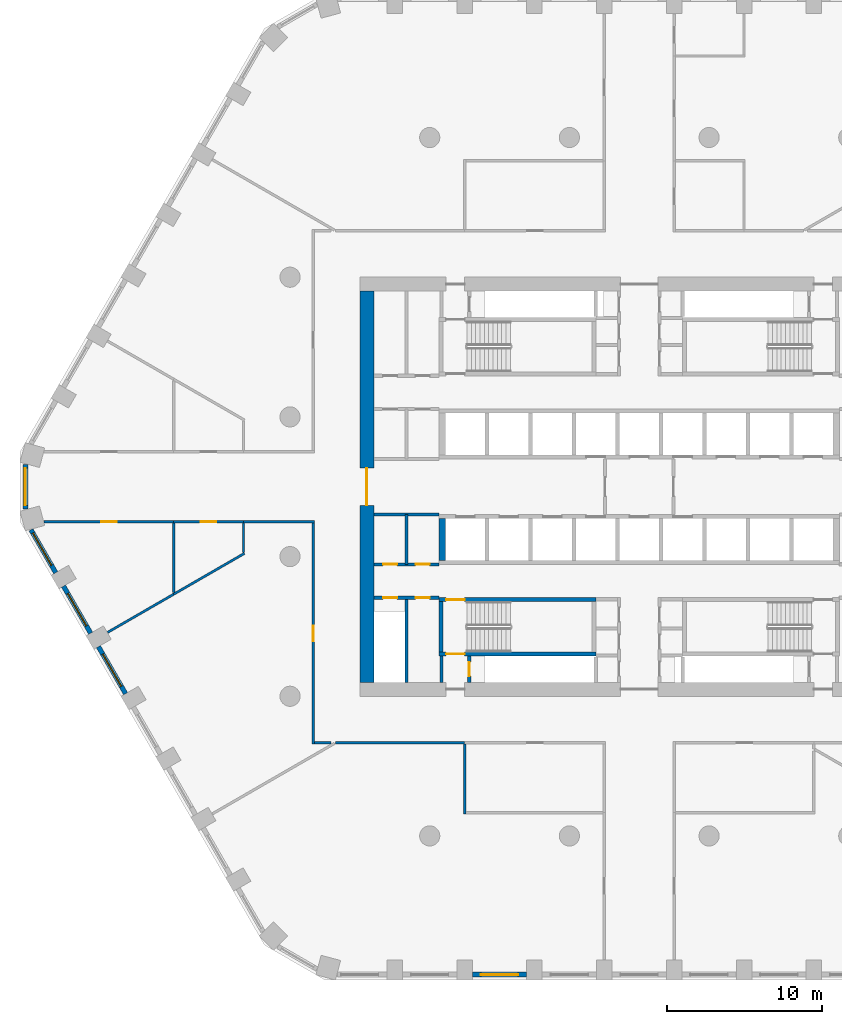
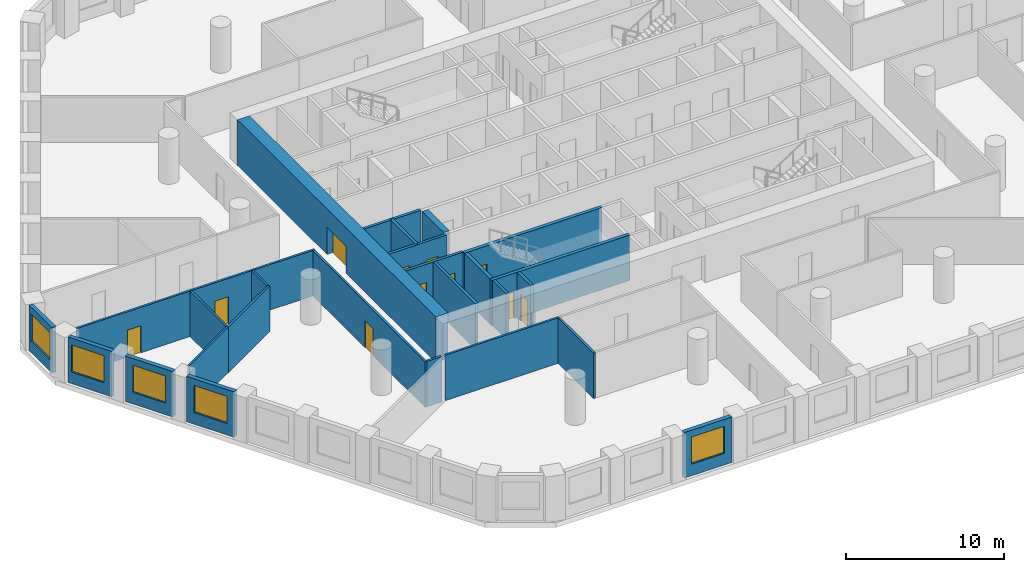
# One storey, part 2 of 10: 28 walls, 11 doors, 5 windows, 16 openings.
"""IFC4 building model written with IfcOpenShell, lengths in metres."""

import ifcopenshell
import ifcopenshell.guid

model = None  # the IFC model being written
_history = None  # IfcOwnerHistory: only IFC2X3 demands one
_inside = {}  # id of a spatial element -> (the spatial element, [elements in it])
_under = {}  # id of a project, library or spatial element -> (it, [spatial elements below it])
_declared = {}  # id of a project -> (the project, [libraries it declares])
_typed = {}  # id of a type object -> (the type object, [elements of that type])
_made_of = {}  # id of a material, layer set ... -> (it, [elements and type objects made of it])


def new_model(schema):
    """Start an empty IFC model of exactly this schema.

    Asked for "IFC4X3", IfcOpenShell would pick the latest addendum, in which some entities
    have other attributes; the version numbers below select the first issue.
    IFC2X3 requires an IfcOwnerHistory on every rooted entity: one is made here for all.
    """
    global model, _history
    if schema == "IFC4X3":
        model = ifcopenshell.file(schema_version=(4, 3, 0, 0))
    else:
        model = ifcopenshell.file(schema=schema)
    _inside.clear()
    _under.clear()
    _declared.clear()
    _typed.clear()
    _made_of.clear()
    _history = None
    if model.schema == "IFC2X3":
        org = make("IfcOrganization", Name="unknown")
        user = make(
            "IfcPersonAndOrganization",
            ThePerson=make("IfcPerson", FamilyName="unknown"),
            TheOrganization=org,
        )
        app = make(
            "IfcApplication",
            ApplicationDeveloper=org,
            Version="unknown",
            ApplicationFullName="unknown",
            ApplicationIdentifier="unknown",
        )
        _history = make(
            "IfcOwnerHistory",
            OwningUser=user,
            OwningApplication=app,
            ChangeAction="ADDED",
            CreationDate=0,
        )
    return model


def make(cls, **values):
    """One entity of the class cls with the attributes given. An attribute that is None is left unset."""
    return model.create_entity(
        cls, **{name: value for name, value in values.items() if value is not None}
    )


def rooted(cls, **values):
    """An entity with a GlobalId (a new one), such as an element, a storey or a relation."""
    return make(cls, GlobalId=ifcopenshell.guid.new(), OwnerHistory=_history, **values)


def si_unit(unit_type, name, prefix=None):
    """IfcSIUnit, for example si_unit("LENGTHUNIT", "METRE", prefix="MILLI")."""
    return make("IfcSIUnit", UnitType=unit_type, Prefix=prefix, Name=name)


def assignment(units):
    """IfcUnitAssignment: the units of a project."""
    return None if units is None else make("IfcUnitAssignment", Units=units)


def point(xyz):
    """IfcCartesianPoint."""
    return None if xyz is None else make("IfcCartesianPoint", Coordinates=xyz)


def direction(xyz):
    """IfcDirection."""
    return None if xyz is None else make("IfcDirection", DirectionRatios=xyz)


def frame(location, z_axis=None, x_axis=None):
    """IfcAxis2Placement3D, a coordinate frame: its origin and axes. An axis left out is left unset."""
    return make(
        "IfcAxis2Placement3D",
        Location=point(location),
        Axis=direction(z_axis),
        RefDirection=direction(x_axis),
    )


def frame_2d(location, x_axis=None):
    """IfcAxis2Placement2D, a coordinate frame in the plane: its origin and x axis."""
    return make(
        "IfcAxis2Placement2D", Location=point(location), RefDirection=direction(x_axis)
    )


def origin():
    """The frame at (0, 0, 0) with its axes left unset."""
    return frame((0.0, 0.0, 0.0))


def place(relative_to, where):
    """IfcLocalPlacement: puts the frame where relative to a parent placement (None: the world)."""
    return make(
        "IfcLocalPlacement", PlacementRelTo=relative_to, RelativePlacement=where
    )


def context(
    kind, dimensions, precision=None, world=None, true_north=None, identifier=None
):
    """IfcGeometricRepresentationContext, for example the 3D "Model" context."""
    return make(
        "IfcGeometricRepresentationContext",
        ContextIdentifier=identifier,
        ContextType=kind,
        CoordinateSpaceDimension=dimensions,
        Precision=precision,
        WorldCoordinateSystem=world,
        TrueNorth=true_north,
    )


def subcontext(parent, identifier, kind, view, scale=None):
    """IfcGeometricRepresentationSubContext, for example "Body" below "Model"."""
    return make(
        "IfcGeometricRepresentationSubContext",
        ContextIdentifier=identifier,
        ContextType=kind,
        ParentContext=parent,
        TargetScale=scale,
        TargetView=view,
    )


def project(units=None, contexts=None):
    """IfcProject with its units and contexts."""
    return rooted(
        "IfcProject",
        Name="project",
        RepresentationContexts=contexts,
        UnitsInContext=assignment(units),
    )


def spatial(cls, under=None, at=None, **own):
    """A site, building, storey or space (cls), placed at a placement, below another one or the project."""
    s = rooted(cls, ObjectPlacement=at, **own)
    if under is not None:
        _under.setdefault(under.id(), (under, []))[1].append(s)
    return s


def polyline(points):
    """IfcPolyline through the points."""
    return make("IfcPolyline", Points=[point(p) for p in points])


def profile(cls, at=None, kind="AREA", **sizes):
    """A parametric profile (cls). Its sizes go by their IFC names, for example OverallWidth=200.0."""
    return make(cls, ProfileType=kind, Position=at, **sizes)


def rectangle(**sizes):
    """IfcRectangleProfileDef."""
    return profile("IfcRectangleProfileDef", **sizes)


def outline(outer, holes=None, kind="AREA"):
    """IfcArbitraryClosedProfileDef: a profile drawn as a closed curve; with holes, ...WithVoids."""
    if holes is None:
        return make("IfcArbitraryClosedProfileDef", ProfileType=kind, OuterCurve=outer)
    return make(
        "IfcArbitraryProfileDefWithVoids",
        ProfileType=kind,
        OuterCurve=outer,
        InnerCurves=holes,
    )


def extrude(swept, where, along, depth):
    """IfcExtrudedAreaSolid: the profile swept, set in the frame where, extruded along a direction by depth."""
    return make(
        "IfcExtrudedAreaSolid",
        SweptArea=swept,
        Position=where,
        ExtrudedDirection=direction(along),
        Depth=depth,
    )


def shape(context_of_items, identifier, shape_type, items):
    """IfcShapeRepresentation: the items that make up one representation, for example the "Body"."""
    return make(
        "IfcShapeRepresentation",
        ContextOfItems=context_of_items,
        RepresentationIdentifier=identifier,
        RepresentationType=shape_type,
        Items=items,
    )


def material(Name=None, Category=None):
    """IfcMaterial."""
    return make("IfcMaterial", Name=Name, Category=Category)


def layer(
    of_material, thickness, ventilated=None, Name=None, Category=None, Priority=None
):
    """IfcMaterialLayer: one layer of a wall or slab, of a material (None: an air gap)."""
    return make(
        "IfcMaterialLayer",
        Material=of_material,
        LayerThickness=thickness,
        IsVentilated=ventilated,
        Name=Name,
        Category=Category,
        Priority=Priority,
    )


def layer_set(layers, Name=None):
    """IfcMaterialLayerSet."""
    return make("IfcMaterialLayerSet", MaterialLayers=layers, LayerSetName=Name)


def made_of(thing, what):
    """Note that an element or type object is made of a material, layer set ...; save() writes the relation."""
    if what is not None:
        _made_of.setdefault(what.id(), (what, []))[1].append(thing)
    return thing


def type_object(cls, material=None, **own):
    """A type object (cls), such as IfcWallType, which elements share."""
    return made_of(rooted(cls, **own), material)


def element(
    cls,
    number,
    at=None,
    inside=None,
    cuts=None,
    type_object=None,
    material=None,
    context=None,
    identifier="Body",
    shape_type=None,
    held_by="IfcProductDefinitionShape",
    body=None,
    shapes=None,
    **own,
):
    """One element of the class cls, such as IfcWall. Its Tag is "e" and its number.

    at: its placement. inside: the storey or other place that contains it. cuts: it is an
    opening in that element (IfcRelVoidsElement). A single representation is given by context,
    identifier, shape_type and body (its items); several are given by shapes. held_by: the class
    of the entity that holds the representations. save() writes the other relations.
    """
    e = rooted(cls, Tag="e%d" % number, ObjectPlacement=at, **own)
    if body is not None:
        shapes = [shape(context, identifier, shape_type, body)]
    if shapes is not None:
        e.Representation = make(held_by, Representations=shapes)
    if inside is not None:
        _inside.setdefault(inside.id(), (inside, []))[1].append(e)
    if cuts is not None:
        rooted(
            "IfcRelVoidsElement", RelatingBuildingElement=cuts, RelatedOpeningElement=e
        )
    if type_object is not None:
        _typed.setdefault(type_object.id(), (type_object, []))[1].append(e)
    return made_of(e, material)


def fill(opening, filler):
    """IfcRelFillsElement: the door or window that sits in an opening."""
    return rooted(
        "IfcRelFillsElement",
        RelatingOpeningElement=opening,
        RelatedBuildingElement=filler,
    )


def aggregate(whole, parts):
    """IfcRelAggregates: a whole, such as a stair, and the parts it consists of."""
    return rooted("IfcRelAggregates", RelatingObject=whole, RelatedObjects=parts)


def save(model, path):
    """Write the relations noted so far, then the file.

    IfcRelAggregates (storeys below a building ...), IfcRelContainedInSpatialStructure (elements
    in a storey), IfcRelDefinesByType, IfcRelAssociatesMaterial and IfcRelDeclares: one each for
    every whole, place, type object, material and project.
    """
    for whole, parts in _under.values():
        aggregate(whole, parts)
    for where, things in _inside.values():
        rooted(
            "IfcRelContainedInSpatialStructure",
            RelatedElements=things,
            RelatingStructure=where,
        )
    for kind, things in _typed.values():
        rooted("IfcRelDefinesByType", RelatedObjects=things, RelatingType=kind)
    for what, things in _made_of.values():
        rooted("IfcRelAssociatesMaterial", RelatedObjects=things, RelatingMaterial=what)
    for by, libraries in _declared.values():
        rooted("IfcRelDeclares", RelatingContext=by, RelatedDefinitions=libraries)
    model.write(path)


model = new_model("IFC4")

# Units and contexts
model_context = context("Model", 3, precision=1e-05, world=origin(), true_north=direction((0.0, 1.0)))
body_context = subcontext(model_context, "Body", "Model", "MODEL_VIEW")
ifc_project = project(units=[si_unit("LENGTHUNIT", "METRE"), si_unit("AREAUNIT", "SQUARE_METRE"), si_unit("VOLUMEUNIT", "CUBIC_METRE"), si_unit("PLANEANGLEUNIT", "RADIAN"), si_unit("MASSUNIT", "GRAM", prefix="KILO")], contexts=[model_context])

# Site, building, storey
site_placement = place(None, origin())
site = spatial("IfcSite", under=ifc_project, at=site_placement, CompositionType="ELEMENT")
building_placement = place(site_placement, origin())
building = spatial("IfcBuilding", under=site, at=building_placement, Name="Dhurran Vertical Campus", CompositionType="ELEMENT")
storey_placement = place(building_placement, frame((0.0, 0.0, 112.5)))
storey = spatial("IfcBuildingStorey", under=building, at=storey_placement, Name="L27", CompositionType="ELEMENT", Elevation=112.5)

# Wall, opening, window
ifc_material_1 = material(Name="Precast concrete C50/60", Category="concrete")
ifc_layer_1 = layer(ifc_material_1, 0.300048828125)
ifc_layer_set_1 = layer_set([ifc_layer_1], Name="Precast concrete C50/60")
wall_type_1 = type_object("IfcWallType", Name="Precast spandrel wall 300", PredefinedType="SOLIDWALL", material=ifc_layer_set_1)
wall_1_placement = place(storey_placement, frame((-10.74951171875, -31.4296875, 0.0), z_axis=(0.0, 0.0, 1.0), x_axis=(1.0, 0.0, 0.0)))
wall_1 = element("IfcWall", 1, at=wall_1_placement, inside=storey, type_object=wall_type_1, Name="EW1 L27.02", PredefinedType="SOLIDWALL", context=body_context, shape_type="SweptSolid", body=[
    extrude(rectangle(XDim=3.4990234375, YDim=0.300048828125, at=frame_2d((1.74951171875, 0.0))), origin(), (0.0, 0.0, 1.0), 3.52490234375),
])
opening_1_placement = place(wall_1_placement, frame((0.549560546875, 0.0, 0.89990234375)))
opening_1 = element("IfcOpeningElement", 2, at=opening_1_placement, cuts=wall_1, Name="Opening WT1", PredefinedType="OPENING", context=body_context, shape_type="SweptSolid", body=[
    extrude(rectangle(XDim=2.39990234375, YDim=2.10009765625, at=frame_2d((1.199951171875, 1.050048828125))), frame((0.0, 0.159912109375, 0.0), z_axis=(0.0, -1.0, 0.0), x_axis=(1.0, 0.0, 0.0)), (0.0, 0.0, 1.0), 0.320068359375),
])
ifc_material_2 = material(Name="Aluminium frame with solar-control glass", Category="aluminium")
window_type = type_object("IfcWindowType", Name="Punched window 2400 x 2100", PartitioningType="SINGLE_PANEL", PredefinedType="WINDOW", material=ifc_material_2)
window_1_placement = place(opening_1_placement, origin())
window_1 = element("IfcWindow", 3, at=window_1_placement, inside=storey, type_object=window_type, Name="WT1 L27.02", OverallHeight=2.10009765625, OverallWidth=2.39990234375, PartitioningType="SINGLE_PANEL", PredefinedType="WINDOW", context=body_context, shape_type="SweptSolid", body=[
    extrude(rectangle(XDim=2.39990234375, YDim=2.10009765625, at=frame_2d((1.199951171875, 1.050048828125))), frame((0.0, 0.030029296875, 0.0), z_axis=(0.0, -1.0, 0.0), x_axis=(1.0, 0.0, 0.0)), (0.0, 0.0, 1.0), 0.06005859375),
])
fill(opening_1, window_1)

wall_2_placement = place(storey_placement, frame((-39.547119140625, 1.44287109375, 0.0), z_axis=(0.0, 0.0, 1.0), x_axis=(0.0, -1.0, 0.0)))
wall_2 = element("IfcWall", 4, at=wall_2_placement, inside=storey, type_object=wall_type_1, Name="EW1 L27.43", PredefinedType="SOLIDWALL", context=body_context, shape_type="SweptSolid", body=[
    extrude(rectangle(XDim=2.8857421875, YDim=0.300048828125, at=frame_2d((1.44287109375, 0.0))), origin(), (0.0, 0.0, 1.0), 3.52490234375),
])
opening_2_placement = place(wall_2_placement, frame((0.242919921875, 0.0, 0.89990234375)))
opening_2 = element("IfcOpeningElement", 5, at=opening_2_placement, cuts=wall_2, Name="Opening WT1", PredefinedType="OPENING", context=body_context, shape_type="SweptSolid", body=[
    extrude(rectangle(XDim=2.39990234375, YDim=2.10009765625, at=frame_2d((1.199951171875, 1.050048828125))), frame((0.0, 0.159912109375, 0.0), z_axis=(0.0, -1.0, 0.0), x_axis=(1.0, 0.0, 0.0)), (0.0, 0.0, 1.0), 0.320068359375),
])
window_2_placement = place(opening_2_placement, origin())
window_2 = element("IfcWindow", 6, at=window_2_placement, inside=storey, type_object=window_type, Name="WT1 L27.43", OverallHeight=2.10009765625, OverallWidth=2.39990234375, PartitioningType="SINGLE_PANEL", PredefinedType="WINDOW", context=body_context, shape_type="SweptSolid", body=[
    extrude(rectangle(XDim=2.39990234375, YDim=2.10009765625, at=frame_2d((1.199951171875, 1.050048828125))), frame((0.0, 0.030029296875, 0.0), z_axis=(0.0, -1.0, 0.0), x_axis=(1.0, 0.0, 0.0)), (0.0, 0.0, 1.0), 0.06005859375),
])
fill(opening_2, window_2)

wall_3_placement = place(storey_placement, frame((-39.1904296875, -2.774169921875, 0.0), z_axis=(0.0, 0.0, 1.0), x_axis=(0.500004907028, -0.866022570692, 0.0)))
wall_3 = element("IfcWall", 7, at=wall_3_placement, inside=storey, type_object=wall_type_1, Name="EW1 L27.44", PredefinedType="SOLIDWALL", context=body_context, shape_type="SweptSolid", body=[
    extrude(rectangle(XDim=3.1923828125, YDim=0.300048828125, at=frame_2d((1.59619140625, 0.0))), origin(), (0.0, 0.0, 1.0), 3.52490234375),
])
opening_3_placement = place(wall_3_placement, frame((0.242919921875, 0.0, 0.89990234375)))
opening_3 = element("IfcOpeningElement", 8, at=opening_3_placement, cuts=wall_3, Name="Opening WT1", PredefinedType="OPENING", context=body_context, shape_type="SweptSolid", body=[
    extrude(rectangle(XDim=2.39990234375, YDim=2.10009765625, at=frame_2d((1.199951171875, 1.050048828125))), frame((0.0, 0.159912109375, 0.0), z_axis=(0.0, -1.0, 0.0), x_axis=(1.0, 0.0, 0.0)), (0.0, 0.0, 1.0), 0.320068359375),
])
window_3_placement = place(opening_3_placement, origin())
window_3 = element("IfcWindow", 9, at=window_3_placement, inside=storey, type_object=window_type, Name="WT1 L27.44", OverallHeight=2.10009765625, OverallWidth=2.39990234375, PartitioningType="SINGLE_PANEL", PredefinedType="WINDOW", context=body_context, shape_type="SweptSolid", body=[
    extrude(rectangle(XDim=2.39990234375, YDim=2.10009765625, at=frame_2d((1.199951171875, 1.050048828125))), frame((0.0, 0.030029296875, 0.0), z_axis=(0.0, -1.0, 0.0), x_axis=(1.0, 0.0, 0.0)), (0.0, 0.0, 1.0), 0.06005859375),
])
fill(opening_3, window_3)

wall_4_placement = place(storey_placement, frame((-37.09375, -6.405517578125, 0.0), z_axis=(0.0, 0.0, 1.0), x_axis=(0.499996256241, -0.866027565234, 0.0)))
wall_4 = element("IfcWall", 10, at=wall_4_placement, inside=storey, type_object=wall_type_1, Name="EW1 L27.45", PredefinedType="SOLIDWALL", context=body_context, shape_type="SweptSolid", body=[
    extrude(rectangle(XDim=3.4990234375, YDim=0.300048828125, at=frame_2d((1.74951171875, 0.0))), origin(), (0.0, 0.0, 1.0), 3.52490234375),
])
opening_4_placement = place(wall_4_placement, frame((0.549560546875, 0.0, 0.89990234375)))
opening_4 = element("IfcOpeningElement", 11, at=opening_4_placement, cuts=wall_4, Name="Opening WT1", PredefinedType="OPENING", context=body_context, shape_type="SweptSolid", body=[
    extrude(rectangle(XDim=2.39990234375, YDim=2.10009765625, at=frame_2d((1.199951171875, 1.050048828125))), frame((0.0, 0.159912109375, 0.0), z_axis=(0.0, -1.0, 0.0), x_axis=(1.0, 0.0, 0.0)), (0.0, 0.0, 1.0), 0.320068359375),
])
window_4_placement = place(opening_4_placement, origin())
window_4 = element("IfcWindow", 12, at=window_4_placement, inside=storey, type_object=window_type, Name="WT1 L27.45", OverallHeight=2.10009765625, OverallWidth=2.39990234375, PartitioningType="SINGLE_PANEL", PredefinedType="WINDOW", context=body_context, shape_type="SweptSolid", body=[
    extrude(rectangle(XDim=2.39990234375, YDim=2.10009765625, at=frame_2d((1.199951171875, 1.050048828125))), frame((0.0, 0.030029296875, 0.0), z_axis=(0.0, -1.0, 0.0), x_axis=(1.0, 0.0, 0.0)), (0.0, 0.0, 1.0), 0.06005859375),
])
fill(opening_4, window_4)

wall_5_placement = place(storey_placement, frame((-34.84375, -10.302734375, 0.0), z_axis=(0.0, 0.0, 1.0), x_axis=(0.499996256241, -0.866027565234, 0.0)))
wall_5 = element("IfcWall", 13, at=wall_5_placement, inside=storey, type_object=wall_type_1, Name="EW1 L27.46", PredefinedType="SOLIDWALL", context=body_context, shape_type="SweptSolid", body=[
    extrude(rectangle(XDim=3.4990234375, YDim=0.300048828125, at=frame_2d((1.74951171875, 0.0))), origin(), (0.0, 0.0, 1.0), 3.52490234375),
])
opening_5_placement = place(wall_5_placement, frame((0.549560546875, 0.0, 0.89990234375)))
opening_5 = element("IfcOpeningElement", 14, at=opening_5_placement, cuts=wall_5, Name="Opening WT1", PredefinedType="OPENING", context=body_context, shape_type="SweptSolid", body=[
    extrude(rectangle(XDim=2.39990234375, YDim=2.10009765625, at=frame_2d((1.199951171875, 1.050048828125))), frame((0.0, 0.159912109375, 0.0), z_axis=(0.0, -1.0, 0.0), x_axis=(1.0, 0.0, 0.0)), (0.0, 0.0, 1.0), 0.320068359375),
])
window_5_placement = place(opening_5_placement, origin())
window_5 = element("IfcWindow", 15, at=window_5_placement, inside=storey, type_object=window_type, Name="WT1 L27.46", OverallHeight=2.10009765625, OverallWidth=2.39990234375, PartitioningType="SINGLE_PANEL", PredefinedType="WINDOW", context=body_context, shape_type="SweptSolid", body=[
    extrude(rectangle(XDim=2.39990234375, YDim=2.10009765625, at=frame_2d((1.199951171875, 1.050048828125))), frame((0.0, 0.030029296875, 0.0), z_axis=(0.0, -1.0, 0.0), x_axis=(1.0, 0.0, 0.0)), (0.0, 0.0, 1.0), 0.06005859375),
])
fill(opening_5, window_5)

# Wall, opening, door
ifc_material_3 = material(Name="Concrete C60/75", Category="concrete")
ifc_layer_2 = layer(ifc_material_3, 0.89990234375)
ifc_layer_set_2 = layer_set([ifc_layer_2], Name="Concrete C60/75")
wall_type_2 = type_object("IfcWallType", Name="co-CORE-WALL-C0-900", PredefinedType="SHEAR", material=ifc_layer_set_2)
wall_6_placement = place(storey_placement, frame((-17.550048828125, -12.60009765625, 0.0), z_axis=(0.0, 0.0, 1.0), x_axis=(0.0, 1.0, 0.0)))
wall_6 = element("IfcWall", 16, at=wall_6_placement, inside=storey, type_object=wall_type_2, Name="Core wall W L27", PredefinedType="SHEAR", context=body_context, shape_type="SweptSolid", body=[
    extrude(rectangle(XDim=25.2001953125, YDim=0.89990234375, at=frame_2d((12.60009765625, 0.0))), origin(), (0.0, 0.0, 1.0), 3.52490234375),
])
opening_6_placement = place(wall_6_placement, frame((11.39990234375, 0.0, 0.0)))
opening_6 = element("IfcOpeningElement", 17, at=opening_6_placement, cuts=wall_6, Name="Opening CL1", PredefinedType="OPENING", context=body_context, shape_type="SweptSolid", body=[
    extrude(rectangle(XDim=2.39990234375, YDim=2.10009765625, at=frame_2d((1.199951171875, 1.050048828125))), frame((0.0, 0.4599609375, 0.0), z_axis=(0.0, -1.0, 0.0), x_axis=(1.0, 0.0, 0.0)), (0.0, 0.0, 1.0), 0.919921875),
])
ifc_material_4 = material(Name="Fire-rated glazed door set")
door_type_1 = type_object("IfcDoorType", Name="co-D-LOBBY 2400x2100", OperationType="DOUBLE_DOOR_DOUBLE_SWING", PredefinedType="DOOR", material=ifc_material_4)
door_1_placement = place(opening_6_placement, origin())
door_1 = element("IfcDoor", 18, at=door_1_placement, inside=storey, type_object=door_type_1, Name="Lift lobby door W L27", OperationType="DOUBLE_DOOR_DOUBLE_SWING", OverallHeight=2.10009765625, OverallWidth=2.39990234375, PredefinedType="DOOR", context=body_context, shape_type="SweptSolid", body=[
    extrude(rectangle(XDim=2.39990234375, YDim=2.10009765625, at=frame_2d((1.199951171875, 1.050048828125))), frame((0.0, 0.02490234375, 0.0), z_axis=(0.0, -1.0, 0.0), x_axis=(1.0, 0.0, 0.0)), (0.0, 0.0, 1.0), 0.050048828125),
])
fill(opening_6, door_1)

# Wall
ifc_material_5 = material(Name="Fire-rated masonry blockwork", Category="masonry")
ifc_layer_3 = layer(ifc_material_5, 0.199951171875)
ifc_layer_set_3 = layer_set([ifc_layer_3], Name="Fire-rated masonry blockwork")
wall_type_3 = type_object("IfcWallType", Name="co-FIRE-PARTITION-200", PredefinedType="PARTITIONING", material=ifc_layer_set_3)
wall_7_placement = place(storey_placement, frame((-12.75, -12.60009765625, 0.0), z_axis=(0.0, 0.0, 1.0), x_axis=(0.0, 1.0, 0.0)))
element("IfcWall", 19, at=wall_7_placement, inside=storey, type_object=wall_type_3, Name="Core partition pass-ST3-o L27", PredefinedType="PARTITIONING", context=body_context, shape_type="SweptSolid", body=[
    extrude(rectangle(XDim=1.7001953125, YDim=0.199951171875, at=frame_2d((0.85009765625, 0.0))), origin(), (0.0, 0.0, 1.0), 3.52490234375),
])

# Wall, opening, door
wall_8_placement = place(storey_placement, frame((-10.949951171875, -12.60009765625, 0.0), z_axis=(0.0, 0.0, 1.0), x_axis=(0.0, 1.0, 0.0)))
wall_8 = element("IfcWall", 20, at=wall_8_placement, inside=storey, type_object=wall_type_3, Name="Core partition pass-ST3-i L27", PredefinedType="PARTITIONING", context=body_context, shape_type="SweptSolid", body=[
    extrude(rectangle(XDim=1.7001953125, YDim=0.199951171875, at=frame_2d((0.85009765625, 0.0))), origin(), (0.0, 0.0, 1.0), 3.52490234375),
])
opening_7_placement = place(wall_8_placement, frame((0.39990234375, 0.0, 0.0)))
opening_7 = element("IfcOpeningElement", 21, at=opening_7_placement, cuts=wall_8, Name="Opening T07-C15", PredefinedType="OPENING", context=body_context, shape_type="SweptSolid", body=[
    extrude(rectangle(XDim=0.89990234375, YDim=2.10009765625, at=frame_2d((0.449951171875, 1.050048828125))), frame((0.0, 0.10986328125, 0.0), z_axis=(0.0, -1.0, 0.0), x_axis=(1.0, 0.0, 0.0)), (0.0, 0.0, 1.0), 0.219970703125),
])
ifc_material_6 = material(Name="Fire-rated timber door set", Category="wood")
door_type_2 = type_object("IfcDoorType", Name="co-D-ROOM 900x2100", OperationType="SINGLE_SWING_LEFT", PredefinedType="DOOR", material=ifc_material_6)
door_2_placement = place(opening_7_placement, origin())
door_2 = element("IfcDoor", 22, at=door_2_placement, inside=storey, type_object=door_type_2, Name="Riser room door L27", OperationType="SINGLE_SWING_LEFT", OverallHeight=2.10009765625, OverallWidth=0.89990234375, PredefinedType="DOOR", context=body_context, shape_type="SweptSolid", body=[
    extrude(rectangle(XDim=0.89990234375, YDim=2.10009765625, at=frame_2d((0.449951171875, 1.050048828125))), frame((0.0, 0.02490234375, 0.0), z_axis=(0.0, -1.0, 0.0), x_axis=(1.0, 0.0, 0.0)), (0.0, 0.0, 1.0), 0.050048828125),
])
fill(opening_7, door_2)

# Wall
wall_9_placement = place(storey_placement, frame((-15.0, -12.60009765625, 0.0), z_axis=(0.0, 0.0, 1.0), x_axis=(0.0, 1.0, 0.0)))
element("IfcWall", 23, at=wall_9_placement, inside=storey, type_object=wall_type_3, Name="Core partition en-SW-cut0 L27", PredefinedType="PARTITIONING", context=body_context, shape_type="SweptSolid", body=[
    extrude(rectangle(XDim=5.4501953125, YDim=0.199951171875, at=frame_2d((2.72509765625, 0.0))), origin(), (0.0, 0.0, 1.0), 3.52490234375),
])

# Wall, openings, doors
wall_10_placement = place(storey_placement, frame((-17.10009765625, -7.14990234375, 0.0), z_axis=(0.0, 0.0, 1.0), x_axis=(1.0, 0.0, 0.0)))
wall_10 = element("IfcWall", 24, at=wall_10_placement, inside=storey, type_object=wall_type_3, Name="Core partition en-SW-w L27", PredefinedType="PARTITIONING", context=body_context, shape_type="SweptSolid", body=[
    extrude(rectangle(XDim=4.2001953125, YDim=0.199951171875, at=frame_2d((2.10009765625, 0.0))), origin(), (0.0, 0.0, 1.0), 3.52490234375),
])
opening_8_placement = place(wall_10_placement, frame((0.60009765625, 0.0, 0.0)))
opening_8 = element("IfcOpeningElement", 25, at=opening_8_placement, cuts=wall_10, Name="Opening T07-C24", PredefinedType="OPENING", context=body_context, shape_type="SweptSolid", body=[
    extrude(rectangle(XDim=0.89990234375, YDim=2.10009765625, at=frame_2d((0.449951171875, 1.050048828125))), frame((0.0, 0.10986328125, 0.0), z_axis=(0.0, -1.0, 0.0), x_axis=(1.0, 0.0, 0.0)), (0.0, 0.0, 1.0), 0.219970703125),
])
opening_9_placement = place(wall_10_placement, frame((2.699951171875, 0.0, 0.0)))
opening_9 = element("IfcOpeningElement", 26, at=opening_9_placement, cuts=wall_10, Name="Opening T07-C25", PredefinedType="OPENING", context=body_context, shape_type="SweptSolid", body=[
    extrude(rectangle(XDim=0.89990234375, YDim=2.10009765625, at=frame_2d((0.449951171875, 1.050048828125))), frame((0.0, 0.10986328125, 0.0), z_axis=(0.0, -1.0, 0.0), x_axis=(1.0, 0.0, 0.0)), (0.0, 0.0, 1.0), 0.219970703125),
])
door_3_placement = place(opening_8_placement, origin())
door_3 = element("IfcDoor", 27, at=door_3_placement, inside=storey, type_object=door_type_2, Name="Water riser door L27", OperationType="SINGLE_SWING_LEFT", OverallHeight=2.10009765625, OverallWidth=0.89990234375, PredefinedType="DOOR", context=body_context, shape_type="SweptSolid", body=[
    extrude(rectangle(XDim=0.89990234375, YDim=2.10009765625, at=frame_2d((0.449951171875, 1.050048828125))), frame((0.0, 0.02490234375, 0.0), z_axis=(0.0, -1.0, 0.0), x_axis=(1.0, 0.0, 0.0)), (0.0, 0.0, 1.0), 0.050048828125),
])
fill(opening_8, door_3)
door_4_placement = place(opening_9_placement, origin())
door_4 = element("IfcDoor", 28, at=door_4_placement, inside=storey, type_object=door_type_2, Name="Fire equipment store door L27", OperationType="SINGLE_SWING_LEFT", OverallHeight=2.10009765625, OverallWidth=0.89990234375, PredefinedType="DOOR", context=body_context, shape_type="SweptSolid", body=[
    extrude(rectangle(XDim=0.89990234375, YDim=2.10009765625, at=frame_2d((0.449951171875, 1.050048828125))), frame((0.0, 0.02490234375, 0.0), z_axis=(0.0, -1.0, 0.0), x_axis=(1.0, 0.0, 0.0)), (0.0, 0.0, 1.0), 0.050048828125),
])
fill(opening_9, door_4)

# Wall
wall_11_placement = place(storey_placement, frame((-15.0, -5.0, 0.0), z_axis=(0.0, 0.0, 1.0), x_axis=(0.0, 1.0, 0.0)))
element("IfcWall", 29, at=wall_11_placement, inside=storey, type_object=wall_type_3, Name="Core partition es-SW-cut0 L27", PredefinedType="PARTITIONING", context=body_context, shape_type="SweptSolid", body=[
    extrude(rectangle(XDim=3.199951171875, YDim=0.199951171875, at=frame_2d((1.60009765625, 0.0))), origin(), (0.0, 0.0, 1.0), 3.52490234375),
])

# Wall, openings, doors
wall_12_placement = place(storey_placement, frame((-17.10009765625, -5.0, 0.0), z_axis=(0.0, 0.0, 1.0), x_axis=(1.0, 0.0, 0.0)))
wall_12 = element("IfcWall", 30, at=wall_12_placement, inside=storey, type_object=wall_type_3, Name="Core partition es-SW-w L27", PredefinedType="PARTITIONING", context=body_context, shape_type="SweptSolid", body=[
    extrude(rectangle(XDim=4.2001953125, YDim=0.199951171875, at=frame_2d((2.10009765625, 0.0))), origin(), (0.0, 0.0, 1.0), 3.52490234375),
])
opening_10_placement = place(wall_12_placement, frame((0.60009765625, 0.0, 0.0)))
opening_10 = element("IfcOpeningElement", 31, at=opening_10_placement, cuts=wall_12, Name="Opening T07-C26", PredefinedType="OPENING", context=body_context, shape_type="SweptSolid", body=[
    extrude(rectangle(XDim=0.89990234375, YDim=2.10009765625, at=frame_2d((0.449951171875, 1.050048828125))), frame((0.0, 0.10986328125, 0.0), z_axis=(0.0, -1.0, 0.0), x_axis=(1.0, 0.0, 0.0)), (0.0, 0.0, 1.0), 0.219970703125),
])
opening_11_placement = place(wall_12_placement, frame((2.699951171875, 0.0, 0.0)))
opening_11 = element("IfcOpeningElement", 32, at=opening_11_placement, cuts=wall_12, Name="Opening T07-C27", PredefinedType="OPENING", context=body_context, shape_type="SweptSolid", body=[
    extrude(rectangle(XDim=0.89990234375, YDim=2.10009765625, at=frame_2d((0.449951171875, 1.050048828125))), frame((0.0, 0.10986328125, 0.0), z_axis=(0.0, -1.0, 0.0), x_axis=(1.0, 0.0, 0.0)), (0.0, 0.0, 1.0), 0.219970703125),
])
door_5_placement = place(opening_10_placement, origin())
door_5 = element("IfcDoor", 33, at=door_5_placement, inside=storey, type_object=door_type_2, Name="Print room door L27", OperationType="SINGLE_SWING_LEFT", OverallHeight=2.10009765625, OverallWidth=0.89990234375, PredefinedType="DOOR", context=body_context, shape_type="SweptSolid", body=[
    extrude(rectangle(XDim=0.89990234375, YDim=2.10009765625, at=frame_2d((0.449951171875, 1.050048828125))), frame((0.0, 0.02490234375, 0.0), z_axis=(0.0, -1.0, 0.0), x_axis=(1.0, 0.0, 0.0)), (0.0, 0.0, 1.0), 0.050048828125),
])
fill(opening_10, door_5)
door_6_placement = place(opening_11_placement, origin())
door_6 = element("IfcDoor", 34, at=door_6_placement, inside=storey, type_object=door_type_2, Name="Housekeeping store door L27", OperationType="SINGLE_SWING_LEFT", OverallHeight=2.10009765625, OverallWidth=0.89990234375, PredefinedType="DOOR", context=body_context, shape_type="SweptSolid", body=[
    extrude(rectangle(XDim=0.89990234375, YDim=2.10009765625, at=frame_2d((0.449951171875, 1.050048828125))), frame((0.0, 0.02490234375, 0.0), z_axis=(0.0, -1.0, 0.0), x_axis=(1.0, 0.0, 0.0)), (0.0, 0.0, 1.0), 0.050048828125),
])
fill(opening_11, door_6)

# Walls
wall_13_placement = place(storey_placement, frame((-17.10009765625, -1.800048828125, 0.0), z_axis=(0.0, 0.0, 1.0), x_axis=(1.0, 0.0, 0.0)))
element("IfcWall", 35, at=wall_13_placement, inside=storey, type_object=wall_type_3, Name="Core partition es-SW-l L27", PredefinedType="PARTITIONING", context=body_context, shape_type="SweptSolid", body=[
    extrude(rectangle(XDim=4.2001953125, YDim=0.199951171875, at=frame_2d((2.10009765625, 0.0))), origin(), (0.0, 0.0, 1.0), 3.52490234375),
])
ifc_material_7 = material(Name="Concrete C50/60", Category="concrete")
ifc_layer_4 = layer(ifc_material_7, 0.25)
ifc_layer_set_4 = layer_set([ifc_layer_4], Name="Concrete C50/60")
wall_type_4 = type_object("IfcWallType", Name="co-SHAFT-MASS-250", PredefinedType="SHEAR", material=ifc_layer_set_4)
wall_14_placement = place(storey_placement, origin())
element("IfcWall", 36, at=wall_14_placement, inside=storey, type_object=wall_type_4, Name="Lift shaft wall S L27 2", PredefinedType="SHEAR", context=body_context, shape_type="SweptSolid", body=[
    extrude(outline(polyline([(-12.89990234375, -4.75), (-12.47509765625, -4.75), (-12.47509765625, -2.050048828125), (-12.89990234375, -2.050048828125), (-12.89990234375, -4.75)])), origin(), (0.0, 0.0, 1.0), 3.52490234375),
])

# Wall, opening, door
ifc_material_8 = material(Name="Concrete C40/50", Category="concrete")
ifc_layer_5 = layer(ifc_material_8, 0.25)
ifc_layer_set_5 = layer_set([ifc_layer_5], Name="Concrete C40/50")
wall_type_5 = type_object("IfcWallType", Name="co-STAIR-WALL-250", PredefinedType="SHEAR", material=ifc_layer_set_5)
wall_15_placement = place(storey_placement, frame((-12.89990234375, -10.77490234375, 0.0), z_axis=(0.0, 0.0, 1.0), x_axis=(1.0, 0.0, 0.0)))
wall_15 = element("IfcWall", 37, at=wall_15_placement, inside=storey, type_object=wall_type_5, Name="Stair ST3 enclosure wall L27", PredefinedType="SHEAR", context=body_context, shape_type="SweptSolid", body=[
    extrude(rectangle(XDim=10.099853515625, YDim=0.25, at=frame_2d((5.0498046875, 0.0))), origin(), (0.0, 0.0, 1.0), 3.52490234375),
])
opening_12_placement = place(wall_15_placement, frame((0.449951171875, 0.0, 0.0)))
opening_12 = element("IfcOpeningElement", 38, at=opening_12_placement, cuts=wall_15, Name="Opening XS3", PredefinedType="OPENING", context=body_context, shape_type="SweptSolid", body=[
    extrude(rectangle(XDim=1.199951171875, YDim=2.10009765625, at=frame_2d((0.60009765625, 1.050048828125))), frame((0.0, 0.135009765625, 0.0), z_axis=(0.0, -1.0, 0.0), x_axis=(1.0, 0.0, 0.0)), (0.0, 0.0, 1.0), 0.27001953125),
])
ifc_material_9 = material(Name="Fire-rated steel door set", Category="steel")
door_type_3 = type_object("IfcDoorType", Name="co-D-STAIR-EXIT 1200x2100", OperationType="SINGLE_SWING_RIGHT", PredefinedType="DOOR", material=ifc_material_9)
door_7_placement = place(opening_12_placement, origin())
door_7 = element("IfcDoor", 39, at=door_7_placement, inside=storey, type_object=door_type_3, Name="Stair ST3 discharge door L27", OperationType="SINGLE_SWING_RIGHT", OverallHeight=2.10009765625, OverallWidth=1.199951171875, PredefinedType="DOOR", context=body_context, shape_type="SweptSolid", body=[
    extrude(rectangle(XDim=1.199951171875, YDim=2.10009765625, at=frame_2d((0.60009765625, 1.050048828125))), frame((0.0, 0.02490234375, 0.0), z_axis=(0.0, -1.0, 0.0), x_axis=(1.0, 0.0, 0.0)), (0.0, 0.0, 1.0), 0.050048828125),
])
fill(opening_12, door_7)

wall_16_placement = place(storey_placement, frame((-12.89990234375, -7.27490234375, 0.0), z_axis=(0.0, 0.0, 1.0), x_axis=(1.0, 0.0, 0.0)))
wall_16 = element("IfcWall", 40, at=wall_16_placement, inside=storey, type_object=wall_type_5, Name="Stair ST3 enclosure wall L27", PredefinedType="SHEAR", context=body_context, shape_type="SweptSolid", body=[
    extrude(rectangle(XDim=10.099853515625, YDim=0.25, at=frame_2d((5.0498046875, 0.0))), origin(), (0.0, 0.0, 1.0), 3.52490234375),
])
opening_13_placement = place(wall_16_placement, frame((0.449951171875, 0.0, 0.0)))
opening_13 = element("IfcOpeningElement", 41, at=opening_13_placement, cuts=wall_16, Name="Opening SD3", PredefinedType="OPENING", context=body_context, shape_type="SweptSolid", body=[
    extrude(rectangle(XDim=1.199951171875, YDim=2.10009765625, at=frame_2d((0.60009765625, 1.050048828125))), frame((0.0, 0.135009765625, 0.0), z_axis=(0.0, -1.0, 0.0), x_axis=(1.0, 0.0, 0.0)), (0.0, 0.0, 1.0), 0.27001953125),
])
ifc_material_10 = material(Name="Fire-rated steel door set", Category="steel")
door_type_4 = type_object("IfcDoorType", Name="co-D-STAIR 1200x2100", OperationType="SINGLE_SWING_LEFT", PredefinedType="DOOR", material=ifc_material_10)
door_8_placement = place(opening_13_placement, origin())
door_8 = element("IfcDoor", 42, at=door_8_placement, inside=storey, type_object=door_type_4, Name="Stair ST3 door L27", OperationType="SINGLE_SWING_LEFT", OverallHeight=2.10009765625, OverallWidth=1.199951171875, PredefinedType="DOOR", context=body_context, shape_type="SweptSolid", body=[
    extrude(rectangle(XDim=1.199951171875, YDim=2.10009765625, at=frame_2d((0.60009765625, 1.050048828125))), frame((0.0, 0.02490234375, 0.0), z_axis=(0.0, -1.0, 0.0), x_axis=(1.0, 0.0, 0.0)), (0.0, 0.0, 1.0), 0.050048828125),
])
fill(opening_13, door_8)

# Wall
wall_17_placement = place(storey_placement, frame((-12.77490234375, -10.64990234375, 0.0), z_axis=(0.0, 0.0, 1.0), x_axis=(0.0, 1.0, 0.0)))
element("IfcWall", 43, at=wall_17_placement, inside=storey, type_object=wall_type_5, Name="Stair ST3 enclosure wall L27", PredefinedType="SHEAR", context=body_context, shape_type="SweptSolid", body=[
    extrude(rectangle(XDim=3.25, YDim=0.25, at=frame_2d((1.625, 0.0))), origin(), (0.0, 0.0, 1.0), 3.52490234375),
])

# Wall, opening, door
ifc_material_11 = material(Name="Gypsum board corridor wall on steel studs", Category="steel")
ifc_layer_6 = layer(ifc_material_11, 0.14990234375)
ifc_layer_set_6 = layer_set([ifc_layer_6], Name="Gypsum board corridor wall on steel studs")
wall_type_6 = type_object("IfcWallType", Name="fl-CW-150 corridor wall", PredefinedType="PARTITIONING", material=ifc_layer_set_6)
wall_18_placement = place(storey_placement, frame((-30.0, -2.25, 0.0), z_axis=(0.0, 0.0, 1.0), x_axis=(-1.0, 0.0, 0.0)))
wall_18 = element("IfcWall", 44, at=wall_18_placement, inside=storey, type_object=wall_type_6, Name="Partition 27-01", PredefinedType="PARTITIONING", context=body_context, shape_type="SweptSolid", body=[
    extrude(rectangle(XDim=8.35009765625, YDim=0.14990234375, at=frame_2d((4.175048828125, 0.0))), origin(), (0.0, 0.0, 1.0), 3.52490234375),
])
opening_14_placement = place(wall_18_placement, frame((3.675048828125, 0.0, 0.0)))
opening_14 = element("IfcOpeningElement", 45, at=opening_14_placement, cuts=wall_18, Name="Opening T07.01", PredefinedType="OPENING", context=body_context, shape_type="SweptSolid", body=[
    extrude(rectangle(XDim=1.0, YDim=2.10009765625, at=frame_2d((0.5, 1.050048828125))), frame((0.0, 0.0849609375, 0.0), z_axis=(0.0, -1.0, 0.0), x_axis=(1.0, 0.0, 0.0)), (0.0, 0.0, 1.0), 0.169921875),
])
ifc_material_12 = material(Name="Solid-core timber door set, fire-rated", Category="wood")
door_type_5 = type_object("IfcDoorType", Name="fl-D-1000x2100", OperationType="SINGLE_SWING_LEFT", PredefinedType="DOOR", material=ifc_material_12)
door_9_placement = place(opening_14_placement, origin())
door_9 = element("IfcDoor", 46, at=door_9_placement, inside=storey, type_object=door_type_5, Name="Door 27.01", OperationType="SINGLE_SWING_RIGHT", OverallHeight=2.10009765625, OverallWidth=1.0, PredefinedType="DOOR", context=body_context, shape_type="SweptSolid", body=[
    extrude(rectangle(XDim=1.0, YDim=2.10009765625, at=frame_2d((0.5, 1.050048828125))), frame((0.0, 0.02490234375, 0.0), z_axis=(0.0, -1.0, 0.0), x_axis=(1.0, 0.0, 0.0)), (0.0, 0.0, 1.0), 0.050048828125),
])
fill(opening_14, door_9)

wall_19_placement = place(storey_placement, frame((-25.5, -2.25, 0.0), z_axis=(0.0, 0.0, 1.0), x_axis=(-1.0, 0.0, 0.0)))
wall_19 = element("IfcWall", 47, at=wall_19_placement, inside=storey, type_object=wall_type_6, Name="Partition 27-07", PredefinedType="PARTITIONING", context=body_context, shape_type="SweptSolid", body=[
    extrude(rectangle(XDim=4.5, YDim=0.14990234375, at=frame_2d((2.25, 0.0))), origin(), (0.0, 0.0, 1.0), 3.52490234375),
])
opening_15_placement = place(wall_19_placement, frame((1.75, 0.0, 0.0)))
opening_15 = element("IfcOpeningElement", 48, at=opening_15_placement, cuts=wall_19, Name="Opening T07.03", PredefinedType="OPENING", context=body_context, shape_type="SweptSolid", body=[
    extrude(rectangle(XDim=1.0, YDim=2.10009765625, at=frame_2d((0.5, 1.050048828125))), frame((0.0, 0.0849609375, 0.0), z_axis=(0.0, -1.0, 0.0), x_axis=(1.0, 0.0, 0.0)), (0.0, 0.0, 1.0), 0.169921875),
])
door_10_placement = place(opening_15_placement, origin())
door_10 = element("IfcDoor", 49, at=door_10_placement, inside=storey, type_object=door_type_5, Name="Door 27.03", OperationType="SINGLE_SWING_RIGHT", OverallHeight=2.10009765625, OverallWidth=1.0, PredefinedType="DOOR", context=body_context, shape_type="SweptSolid", body=[
    extrude(rectangle(XDim=1.0, YDim=2.10009765625, at=frame_2d((0.5, 1.050048828125))), frame((0.0, 0.02490234375, 0.0), z_axis=(0.0, -1.0, 0.0), x_axis=(1.0, 0.0, 0.0)), (0.0, 0.0, 1.0), 0.050048828125),
])
fill(opening_15, door_10)

# Wall
wall_20_placement = place(storey_placement, frame((-20.925048828125, -2.25, 0.0), z_axis=(0.0, 0.0, 1.0), x_axis=(-1.0, 0.0, 0.0)))
element("IfcWall", 50, at=wall_20_placement, inside=storey, type_object=wall_type_6, Name="Partition 27-14", PredefinedType="PARTITIONING", context=body_context, shape_type="SweptSolid", body=[
    extrude(rectangle(XDim=4.574951171875, YDim=0.14990234375, at=frame_2d((2.28759765625, 0.0))), origin(), (0.0, 0.0, 1.0), 3.52490234375),
])

# Wall, opening, door
wall_21_placement = place(storey_placement, frame((-21.0, -2.324951171875, 0.0), z_axis=(0.0, 0.0, 1.0), x_axis=(0.0, -1.0, 0.0)))
wall_21 = element("IfcWall", 51, at=wall_21_placement, inside=storey, type_object=wall_type_6, Name="Partition 27-17", PredefinedType="PARTITIONING", context=body_context, shape_type="SweptSolid", body=[
    extrude(rectangle(XDim=14.25, YDim=0.14990234375, at=frame_2d((7.125, 0.0))), origin(), (0.0, 0.0, 1.0), 3.52490234375),
])
opening_16_placement = place(wall_21_placement, frame((6.625, 0.0, 0.0)))
opening_16 = element("IfcOpeningElement", 52, at=opening_16_placement, cuts=wall_21, Name="Opening T07.05", PredefinedType="OPENING", context=body_context, shape_type="SweptSolid", body=[
    extrude(rectangle(XDim=1.0, YDim=2.10009765625, at=frame_2d((0.5, 1.050048828125))), frame((0.0, 0.0849609375, 0.0), z_axis=(0.0, -1.0, 0.0), x_axis=(1.0, 0.0, 0.0)), (0.0, 0.0, 1.0), 0.169921875),
])
door_11_placement = place(opening_16_placement, origin())
door_11 = element("IfcDoor", 53, at=door_11_placement, inside=storey, type_object=door_type_5, Name="Door 27.05", OperationType="SINGLE_SWING_RIGHT", OverallHeight=2.10009765625, OverallWidth=1.0, PredefinedType="DOOR", context=body_context, shape_type="SweptSolid", body=[
    extrude(rectangle(XDim=1.0, YDim=2.10009765625, at=frame_2d((0.5, 1.050048828125))), frame((0.0, 0.02490234375, 0.0), z_axis=(0.0, -1.0, 0.0), x_axis=(1.0, 0.0, 0.0)), (0.0, 0.0, 1.0), 0.050048828125),
])
fill(opening_16, door_11)

# Walls
wall_22_placement = place(storey_placement, frame((-20.925048828125, -16.5, 0.0), z_axis=(0.0, 0.0, 1.0), x_axis=(1.0, 0.0, 0.0)))
element("IfcWall", 54, at=wall_22_placement, inside=storey, type_object=wall_type_6, Name="Partition 27-18", PredefinedType="PARTITIONING", context=body_context, shape_type="SweptSolid", body=[
    extrude(rectangle(XDim=1.071044921875, YDim=0.14990234375, at=frame_2d((0.53564453125, 0.0))), origin(), (0.0, 0.0, 1.0), 3.52490234375),
])
wall_23_placement = place(storey_placement, frame((-19.5791015625, -16.5, 0.0), z_axis=(0.0, 0.0, 1.0), x_axis=(1.0, 0.0, 0.0)))
element("IfcWall", 55, at=wall_23_placement, inside=storey, type_object=wall_type_6, Name="Partition 27-21", PredefinedType="PARTITIONING", context=body_context, shape_type="SweptSolid", body=[
    extrude(rectangle(XDim=8.3291015625, YDim=0.14990234375, at=frame_2d((4.16455078125, 0.0))), origin(), (0.0, 0.0, 1.0), 3.52490234375),
])
ifc_material_13 = material(Name="Gypsum board partition on steel studs", Category="steel")
ifc_layer_7 = layer(ifc_material_13, 0.14990234375)
ifc_layer_set_7 = layer_set([ifc_layer_7], Name="Gypsum board partition on steel studs")
wall_type_7 = type_object("IfcWallType", Name="fl-PW-150 fixed partition", PredefinedType="PARTITIONING", material=ifc_layer_set_7)
wall_24_placement = place(storey_placement, frame((-30.0, -6.927978515625, 0.0), z_axis=(0.0, 0.0, 1.0), x_axis=(-0.865998524286, -0.500046553767, 0.0)))
element("IfcWall", 56, at=wall_24_placement, inside=storey, type_object=wall_type_7, Name="Partition 27-03", PredefinedType="PARTITIONING", context=body_context, shape_type="SweptSolid", body=[
    extrude(rectangle(XDim=4.912109375, YDim=0.14990234375, at=frame_2d((2.4560546875, 0.0))), origin(), (0.0, 0.0, 1.0), 3.52490234375),
])
wall_25_placement = place(storey_placement, frame((-30.0, -2.324951171875, 0.0), z_axis=(0.0, 0.0, 1.0), x_axis=(0.0, -1.0, 0.0)))
element("IfcWall", 57, at=wall_25_placement, inside=storey, type_object=wall_type_7, Name="Partition 27-05", PredefinedType="PARTITIONING", context=body_context, shape_type="SweptSolid", body=[
    extrude(rectangle(XDim=4.47314453125, YDim=0.14990234375, at=frame_2d((2.236572265625, 0.0))), origin(), (0.0, 0.0, 1.0), 3.52490234375),
])
wall_26_placement = place(storey_placement, frame((-25.43505859375, -4.29248046875, 0.0), z_axis=(0.0, 0.0, 1.0), x_axis=(-0.866031326857, -0.499989740797, 0.0)))
element("IfcWall", 58, at=wall_26_placement, inside=storey, type_object=wall_type_7, Name="Partition 27-06", PredefinedType="PARTITIONING", context=body_context, shape_type="SweptSolid", body=[
    extrude(rectangle(XDim=5.27099609375, YDim=0.14990234375, at=frame_2d((2.635498046875, 0.0))), origin(), (0.0, 0.0, 1.0), 3.52490234375),
])
wall_27_placement = place(storey_placement, frame((-25.5, -2.324951171875, 0.0), z_axis=(0.0, 0.0, 1.0), x_axis=(0.0, -1.0, 0.0)))
element("IfcWall", 59, at=wall_27_placement, inside=storey, type_object=wall_type_7, Name="Partition 27-13", PredefinedType="PARTITIONING", context=body_context, shape_type="SweptSolid", body=[
    extrude(rectangle(XDim=1.905029296875, YDim=0.14990234375, at=frame_2d((0.95263671875, 0.0))), origin(), (0.0, 0.0, 1.0), 3.52490234375),
])
wall_28_placement = place(storey_placement, frame((-11.25, -16.574951171875, 0.0), z_axis=(0.0, 0.0, 1.0), x_axis=(0.0, -1.0, 0.0)))
element("IfcWall", 60, at=wall_28_placement, inside=storey, type_object=wall_type_7, Name="Partition 27-23", PredefinedType="PARTITIONING", context=body_context, shape_type="SweptSolid", body=[
    extrude(rectangle(XDim=4.5, YDim=0.14990234375, at=frame_2d((2.25, 0.0))), origin(), (0.0, 0.0, 1.0), 3.52490234375),
])

save(model, "model.ifc")
